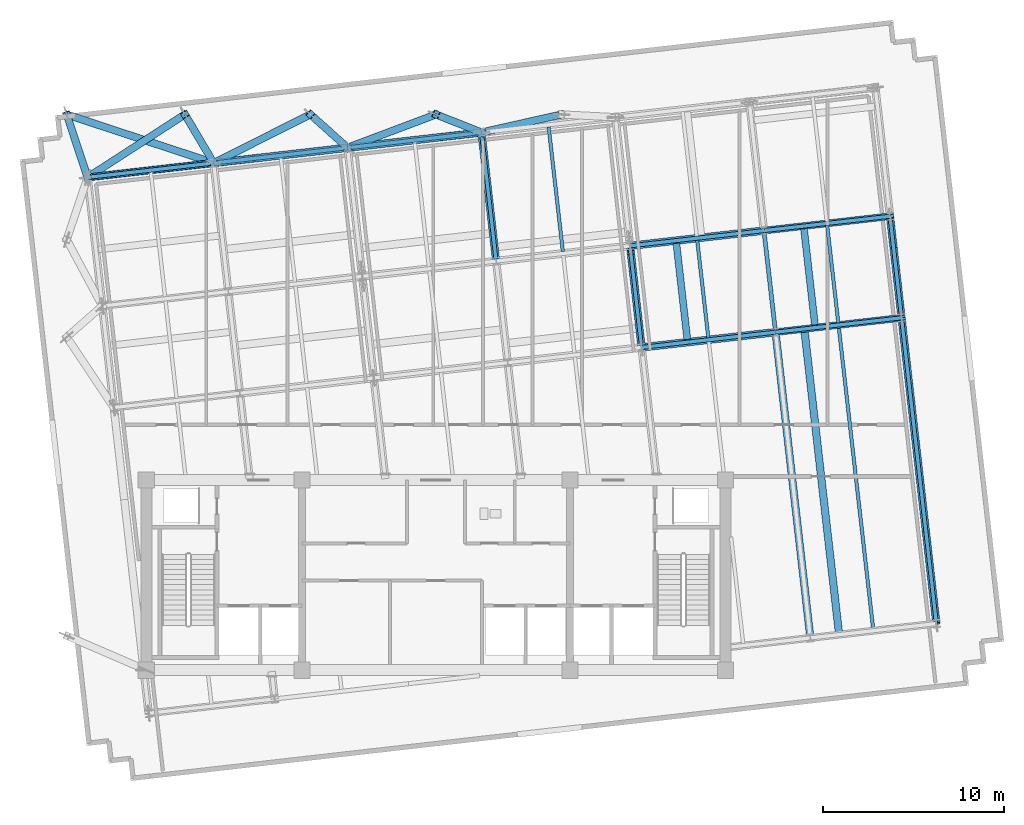
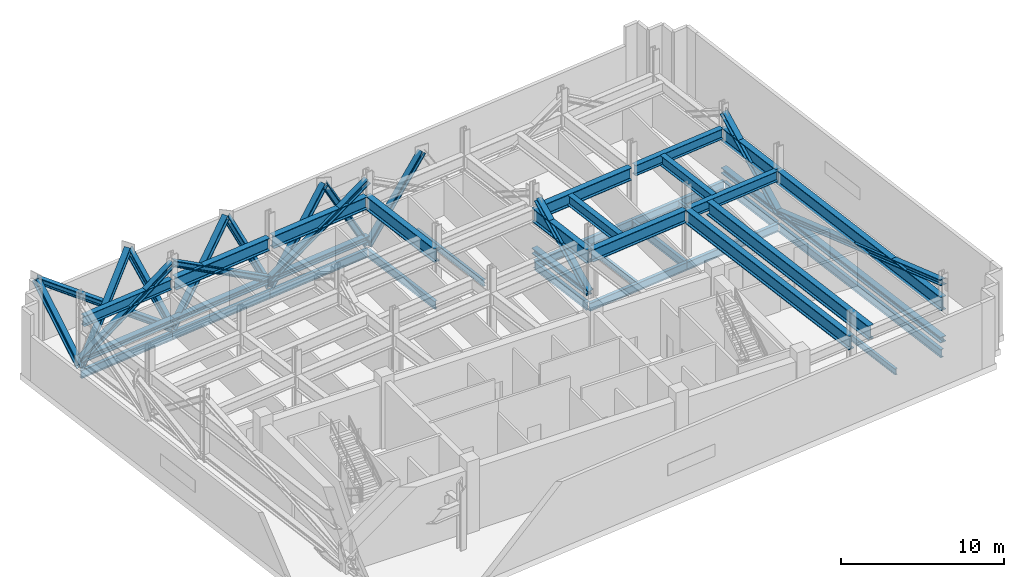
# One storey, part 3 of 10: 31 beams, 21 members.
"""IFC4 building model written with IfcOpenShell, lengths in metres."""

from ifc_helpers import new_model, si_unit, direction, frame, origin, origin_2d, place, context, subcontext, project, spatial, i_section, extrude, material, material_profile, profile_set, type_object, element, save


model = new_model("IFC4")

# Units and contexts
model_context = context("Model", 3, precision=1e-05, world=origin(), true_north=direction((0.0, 1.0)))
body_context = subcontext(model_context, "Body", "Model", "MODEL_VIEW")
ifc_project = project(units=[si_unit("LENGTHUNIT", "METRE"), si_unit("AREAUNIT", "SQUARE_METRE"), si_unit("VOLUMEUNIT", "CUBIC_METRE"), si_unit("PLANEANGLEUNIT", "RADIAN"), si_unit("MASSUNIT", "GRAM", prefix="KILO")], contexts=[model_context])

# Site, building, storey
site_placement = place(None, origin())
site = spatial("IfcSite", under=ifc_project, at=site_placement, CompositionType="ELEMENT")
building_placement = place(site_placement, origin())
building = spatial("IfcBuilding", under=site, at=building_placement, Name="Solmavex Isthmus Hotel", CompositionType="ELEMENT")
storey_placement = place(building_placement, frame((0.0, 0.0, 240.0)))
storey = spatial("IfcBuildingStorey", under=building, at=storey_placement, Name="L65", CompositionType="ELEMENT", Elevation=240.0)

# Beams
ifc_material_1 = material(Name="Steel ASTM A992 Grade 50", Category="steel")
ifc_material_profile_1 = material_profile(ifc_material_1, i_section(OverallWidth=0.380615234375, OverallDepth=0.773193359375, WebThickness=0.0166015625, FlangeThickness=0.027099609375, FilletRadius=0.01904296875, at=origin_2d()), Name="W30X173")
ifc_profile_set_1 = profile_set([ifc_material_profile_1], Name="Steel ASTM A992 Grade 50")
beam_type_1 = type_object("IfcBeamType", Name="BM-BG-W30X173", PredefinedType="BEAM", material=ifc_profile_set_1)
beam_1_placement = place(storey_placement, frame((18.91259765625, 5.68994140625, 3.183349609375), z_axis=(0.993574548201, 0.113179579285, 0.0), x_axis=(-0.113179579285, 0.993574548201, 0.0)))
element("IfcBeam", 1, at=beam_1_placement, inside=storey, type_object=beam_type_1, Name="Floor Framing Cross Girder L65-XLC30", PredefinedType="BEAM", context=body_context, shape_type="SweptSolid", body=[
    extrude(i_section(OverallWidth=0.380615234375, OverallDepth=0.773193359375, WebThickness=0.0166015625, FlangeThickness=0.027099609375, FilletRadius=0.01904296875, at=origin_2d()), origin(), (0.0, 0.0, 1.0), 6.69775390625),
])
for number, where, z_axis, x_axis, name in (
    (2, (18.273193359375, 11.301513671875, 3.183349609375), (0.993570915784, 0.113211462798, 0.0), (-0.113211462798, 0.993570915784, 0.0), "Floor Framing Cross Girder L65-XLC36"),
    (3, (-19.092041015625, 14.24267578125, 3.183349609375), (0.993575015096, 0.11317548046, 0.0), (-0.11317548046, 0.993575015096, 0.0), "Floor Framing Cross Girder L65-XLC37"),
):
    element("IfcBeam", number, at=place(storey_placement, frame(where, z_axis=z_axis, x_axis=x_axis)), inside=storey, type_object=beam_type_1, Name=name, PredefinedType="BEAM", context=body_context, shape_type="SweptSolid", body=[
        extrude(i_section(OverallWidth=0.380615234375, OverallDepth=0.773193359375, WebThickness=0.0166015625, FlangeThickness=0.027099609375, FilletRadius=0.01904296875, at=origin_2d()), origin(), (0.0, 0.0, 1.0), 6.697998046875),
    ])
for number, where, z_axis, x_axis, name in (
    (4, (13.886474609375, 5.273193359375, 3.183349609375), (-0.11319702122, 0.993572561209, 0.0), (-0.993572561209, -0.11319702122, 0.0), "Floor Framing Cross Girder L65-XLC51"),
    (5, (20.936767578125, 6.076416015625, 3.183349609375), (-0.11319702122, 0.993572561209, 0.0), (-0.993572561209, -0.11319702122, 0.0), "Floor Framing Cross Girder L65-XLC54"),
):
    element("IfcBeam", number, at=place(storey_placement, frame(where, z_axis=z_axis, x_axis=x_axis)), inside=storey, type_object=beam_type_1, Name=name, PredefinedType="BEAM", context=body_context, shape_type="SweptSolid", body=[
        extrude(i_section(OverallWidth=0.380615234375, OverallDepth=0.773193359375, WebThickness=0.0166015625, FlangeThickness=0.027099609375, FilletRadius=0.01904296875, at=origin_2d()), origin(), (0.0, 0.0, 1.0), 5.338134765625),
    ])
ifc_material_profile_2 = material_profile(ifc_material_1, i_section(OverallWidth=0.1904296875, OverallDepth=0.456787109375, WebThickness=0.009033203125, FlangeThickness=0.014404296875, FilletRadius=0.0126953125, at=origin_2d()), Name="W18X50")
ifc_profile_set_2 = profile_set([ifc_material_profile_2], Name="Steel ASTM A992 Grade 50")
beam_type_2 = type_object("IfcBeamType", Name="BM-BJ-W18X50", PredefinedType="JOIST", material=ifc_profile_set_2)
beam_2_placement = place(storey_placement, frame((7.009033203125, 10.1328125, -0.678466796875), z_axis=(-0.113202453846, 0.993571942258, 0.0), x_axis=(-0.993571942258, -0.113202453846, 0.0)))
element("IfcBeam", 6, at=beam_2_placement, inside=storey, type_object=beam_type_2, Name="Secondary Floor Joist L65-J14", PredefinedType="JOIST", context=body_context, shape_type="SweptSolid", body=[
    extrude(i_section(OverallWidth=0.1904296875, OverallDepth=0.456787109375, WebThickness=0.009033203125, FlangeThickness=0.014404296875, FilletRadius=0.0126953125, at=origin_2d()), origin(), (0.0, 0.0, 1.0), 6.9228515625),
])
beam_3_placement = place(storey_placement, frame((15.046630859375, 5.364013671875, -0.678466796875), z_axis=(-0.113189626161, 0.993573403695, 0.0), x_axis=(-0.993573403695, -0.113189626161, 0.0)))
element("IfcBeam", 7, at=beam_3_placement, inside=storey, type_object=beam_type_2, Name="Secondary Floor Joist L65-J17", PredefinedType="JOIST", context=body_context, shape_type="SweptSolid", body=[
    extrude(i_section(OverallWidth=0.1904296875, OverallDepth=0.456787109375, WebThickness=0.009033203125, FlangeThickness=0.014404296875, FilletRadius=0.0126953125, at=origin_2d()), origin(), (0.0, 0.0, 1.0), 5.42041015625),
])
beam_4_placement = place(storey_placement, frame((24.1513671875, -10.707275390625, -0.678466796875), z_axis=(-0.113198426291, 0.993572401129, 0.0), x_axis=(-0.993572401129, -0.113198426291, 0.0)))
element("IfcBeam", 8, at=beam_4_placement, inside=storey, type_object=beam_type_2, Name="Secondary Floor Joist L65-J19", PredefinedType="JOIST", context=body_context, shape_type="SweptSolid", body=[
    extrude(i_section(OverallWidth=0.1904296875, OverallDepth=0.456787109375, WebThickness=0.009033203125, FlangeThickness=0.014404296875, FilletRadius=0.0126953125, at=origin_2d()), origin(), (0.0, 0.0, 1.0), 16.77099609375),
])
beam_5_placement = place(storey_placement, frame((22.22705078125, 6.18212890625, -0.678466796875), z_axis=(-0.113189626161, 0.993573403695, 0.0), x_axis=(-0.993573403695, -0.113189626161, 0.0)))
element("IfcBeam", 9, at=beam_5_placement, inside=storey, type_object=beam_type_2, Name="Secondary Floor Joist L65-J20", PredefinedType="JOIST", context=body_context, shape_type="SweptSolid", body=[
    extrude(i_section(OverallWidth=0.1904296875, OverallDepth=0.456787109375, WebThickness=0.009033203125, FlangeThickness=0.014404296875, FilletRadius=0.0126953125, at=origin_2d()), origin(), (0.0, 0.0, 1.0), 5.42041015625),
])
ifc_material_profile_3 = material_profile(ifc_material_1, i_section(OverallWidth=0.227783203125, OverallDepth=0.602783203125, WebThickness=0.010498046875, FlangeThickness=0.014892578125, FilletRadius=0.01513671875, at=origin_2d()), Name="W24X68")
ifc_profile_set_3 = profile_set([ifc_material_profile_3], Name="Steel ASTM A992 Grade 50")
beam_type_3 = type_object("IfcBeamType", Name="BM-BM-W24X68", PredefinedType="BEAM", material=ifc_profile_set_3)
beam_6_placement = place(storey_placement, frame((11.3603515625, 4.829345703125, -0.75146484375), z_axis=(0.9935703463, 0.113216460607, 0.0), x_axis=(-0.113216460607, 0.9935703463, 0.0)))
element("IfcBeam", 10, at=beam_6_placement, inside=storey, type_object=beam_type_3, Name="Floor Girder L65-UG10", PredefinedType="BEAM", context=body_context, shape_type="SweptSolid", body=[
    extrude(i_section(OverallWidth=0.227783203125, OverallDepth=0.602783203125, WebThickness=0.010498046875, FlangeThickness=0.014892578125, FilletRadius=0.01513671875, at=origin_2d()), origin(), (0.0, 0.0, 1.0), 7.446044921875),
])
beam_7_placement = place(storey_placement, frame((18.758544921875, 5.67236328125, -0.75146484375), z_axis=(0.99357359356, 0.113187959519, 0.0), x_axis=(-0.113187959519, 0.99357359356, 0.0)))
element("IfcBeam", 11, at=beam_7_placement, inside=storey, type_object=beam_type_3, Name="Floor Girder L65-UG11", PredefinedType="BEAM", context=body_context, shape_type="SweptSolid", body=[
    extrude(i_section(OverallWidth=0.227783203125, OverallDepth=0.602783203125, WebThickness=0.010498046875, FlangeThickness=0.014892578125, FilletRadius=0.01513671875, at=origin_2d()), origin(), (0.0, 0.0, 1.0), 7.0078125),
])
beam_8_placement = place(storey_placement, frame((10.720947265625, 10.441162109375, -0.75146484375), z_axis=(0.993574034044, 0.113184092846, 0.0), x_axis=(-0.113184092846, 0.993574034044, 0.0)))
element("IfcBeam", 12, at=beam_8_placement, inside=storey, type_object=beam_type_3, Name="Floor Girder L65-UG16", PredefinedType="BEAM", context=body_context, shape_type="SweptSolid", body=[
    extrude(i_section(OverallWidth=0.227783203125, OverallDepth=0.602783203125, WebThickness=0.010498046875, FlangeThickness=0.014892578125, FilletRadius=0.01513671875, at=origin_2d()), origin(), (0.0, 0.0, 1.0), 7.446044921875),
])
beam_9_placement = place(storey_placement, frame((18.119140625, 11.283935546875, -0.75146484375), z_axis=(0.993569675103, 0.113222350774, 0.0), x_axis=(-0.113222350774, 0.993569675103, 0.0)))
element("IfcBeam", 13, at=beam_9_placement, inside=storey, type_object=beam_type_3, Name="Floor Girder L65-UG17", PredefinedType="BEAM", context=body_context, shape_type="SweptSolid", body=[
    extrude(i_section(OverallWidth=0.227783203125, OverallDepth=0.602783203125, WebThickness=0.010498046875, FlangeThickness=0.014892578125, FilletRadius=0.01513671875, at=origin_2d()), origin(), (0.0, 0.0, 1.0), 7.008056640625),
])
beam_10_placement = place(storey_placement, frame((3.31005859375, 9.71142578125, -0.75146484375), z_axis=(-0.113202453846, 0.993571942258, 0.0), x_axis=(-0.993571942258, -0.113202453846, 0.0)))
element("IfcBeam", 14, at=beam_10_placement, inside=storey, type_object=beam_type_3, Name="Floor Beam L65-VG36", PredefinedType="BEAM", context=body_context, shape_type="SweptSolid", body=[
    extrude(i_section(OverallWidth=0.227783203125, OverallDepth=0.602783203125, WebThickness=0.010498046875, FlangeThickness=0.014892578125, FilletRadius=0.01513671875, at=origin_2d()), origin(), (0.0, 0.0, 1.0), 6.9228515625),
])
beam_11_placement = place(storey_placement, frame((11.347412109375, 4.942626953125, -0.75146484375), z_axis=(-0.113194691868, 0.993572826587, 0.0), x_axis=(-0.993572826587, -0.113194691868, 0.0)))
element("IfcBeam", 15, at=beam_11_placement, inside=storey, type_object=beam_type_3, Name="Floor Beam L65-VG38", PredefinedType="BEAM", context=body_context, shape_type="SweptSolid", body=[
    extrude(i_section(OverallWidth=0.227783203125, OverallDepth=0.602783203125, WebThickness=0.010498046875, FlangeThickness=0.014892578125, FilletRadius=0.01513671875, at=origin_2d()), origin(), (0.0, 0.0, 1.0), 5.420166015625),
])
beam_12_placement = place(storey_placement, frame((18.74560546875, 5.785400390625, -0.75146484375), z_axis=(-0.113189626161, 0.993573403695, 0.0), x_axis=(-0.993573403695, -0.113189626161, 0.0)))
element("IfcBeam", 16, at=beam_12_placement, inside=storey, type_object=beam_type_3, Name="Floor Beam L65-VG41", PredefinedType="BEAM", context=body_context, shape_type="SweptSolid", body=[
    extrude(i_section(OverallWidth=0.227783203125, OverallDepth=0.602783203125, WebThickness=0.010498046875, FlangeThickness=0.014892578125, FilletRadius=0.01513671875, at=origin_2d()), origin(), (0.0, 0.0, 1.0), 5.42041015625),
])
ifc_material_profile_4 = material_profile(ifc_material_1, i_section(OverallWidth=0.230224609375, OverallDepth=0.617431640625, WebThickness=0.01318359375, FlangeThickness=0.022216796875, FilletRadius=0.01513671875, at=origin_2d()), Name="W24X94")
ifc_profile_set_4 = profile_set([ifc_material_profile_4], Name="Steel ASTM A992 Grade 50")
beam_type_4 = type_object("IfcBeamType", Name="BM-SP-W24X94", PredefinedType="SPANDREL", material=ifc_profile_set_4)
beam_13_placement = place(storey_placement, frame((-19.245849609375, 14.22509765625, -0.7587890625), z_axis=(0.99357359356, 0.113187959519, 0.0), x_axis=(-0.113187959519, 0.99357359356, 0.0)))
element("IfcBeam", 17, at=beam_13_placement, inside=storey, type_object=beam_type_4, Name="Floor Girder L65-UG18", PredefinedType="SPANDREL", context=body_context, shape_type="SweptSolid", body=[
    extrude(i_section(OverallWidth=0.230224609375, OverallDepth=0.617431640625, WebThickness=0.01318359375, FlangeThickness=0.022216796875, FilletRadius=0.01513671875, at=origin_2d()), origin(), (0.0, 0.0, 1.0), 7.0078125),
])
beam_14_placement = place(storey_placement, frame((-12.282958984375, 15.018310546875, -0.7587890625), z_axis=(0.9935703463, 0.113216460607, 0.0), x_axis=(-0.113216460607, 0.9935703463, 0.0)))
element("IfcBeam", 18, at=beam_14_placement, inside=storey, type_object=beam_type_4, Name="Floor Girder L65-UG19", PredefinedType="SPANDREL", context=body_context, shape_type="SweptSolid", body=[
    extrude(i_section(OverallWidth=0.230224609375, OverallDepth=0.617431640625, WebThickness=0.01318359375, FlangeThickness=0.022216796875, FilletRadius=0.01513671875, at=origin_2d()), origin(), (0.0, 0.0, 1.0), 7.446044921875),
])
beam_15_placement = place(storey_placement, frame((-4.884765625, 15.861328125, -0.7587890625), z_axis=(0.993573613989, 0.113187780196, 0.0), x_axis=(-0.113187780196, 0.993573613989, 0.0)))
element("IfcBeam", 19, at=beam_15_placement, inside=storey, type_object=beam_type_4, Name="Floor Girder L65-UG20", PredefinedType="SPANDREL", context=body_context, shape_type="SweptSolid", body=[
    extrude(i_section(OverallWidth=0.230224609375, OverallDepth=0.617431640625, WebThickness=0.01318359375, FlangeThickness=0.022216796875, FilletRadius=0.01513671875, at=origin_2d()), origin(), (0.0, 0.0, 1.0), 7.44580078125),
])
beam_16_placement = place(storey_placement, frame((27.6328125, -10.310546875, -0.7587890625), z_axis=(-0.113198426291, 0.993572401129, 0.0), x_axis=(-0.993572401129, -0.113198426291, 0.0)))
element("IfcBeam", 20, at=beam_16_placement, inside=storey, type_object=beam_type_4, Name="Floor Beam L65-VG43", PredefinedType="SPANDREL", context=body_context, shape_type="SweptSolid", body=[
    extrude(i_section(OverallWidth=0.230224609375, OverallDepth=0.617431640625, WebThickness=0.01318359375, FlangeThickness=0.022216796875, FilletRadius=0.01513671875, at=origin_2d()), origin(), (0.0, 0.0, 1.0), 16.77099609375),
])
beam_17_placement = place(storey_placement, frame((25.70849609375, 6.578857421875, -0.7587890625), z_axis=(-0.113194691868, 0.993572826587, 0.0), x_axis=(-0.993572826587, -0.113194691868, 0.0)))
element("IfcBeam", 21, at=beam_17_placement, inside=storey, type_object=beam_type_4, Name="Floor Beam L65-VG44", PredefinedType="SPANDREL", context=body_context, shape_type="SweptSolid", body=[
    extrude(i_section(OverallWidth=0.230224609375, OverallDepth=0.617431640625, WebThickness=0.01318359375, FlangeThickness=0.022216796875, FilletRadius=0.01513671875, at=origin_2d()), origin(), (0.0, 0.0, 1.0), 5.420166015625),
])
ifc_material_2 = material(Name="Steel ASTM A913 Grade 65", Category="steel")
ifc_material_profile_5 = material_profile(ifc_material_2, i_section(OverallWidth=0.423095703125, OverallDepth=0.93896484375, WebThickness=0.02392578125, FlangeThickness=0.042724609375, FilletRadius=0.024169921875, at=origin_2d()), Name="W36X302")
ifc_profile_set_5 = profile_set([ifc_material_profile_5], Name="Steel ASTM A913 Grade 65")
beam_type_5 = type_object("IfcBeamType", Name="BM-TB-W36X302", PredefinedType="BEAM", material=ifc_profile_set_5)
for number, where, z_axis, x_axis, name in (
    (22, (11.514404296875, 4.846923828125, 3.1005859375), (0.993571101431, 0.113209833499, 0.0), (-0.113209833499, 0.993571101431, 0.0), "Horizontal Outrigger Collector Girder L65-XLC29"),
    (23, (10.875, 10.458740234375, 3.1005859375), (0.993574949186, 0.113176059086, 0.0), (-0.113176059086, 0.993574949186, 0.0), "Horizontal Outrigger Collector Girder L65-XLC35"),
    (24, (-12.12890625, 15.035888671875, 3.1005859375), (0.993571101431, 0.113209833499, 0.0), (-0.113209833499, 0.993571101431, 0.0), "Horizontal Outrigger Collector Girder L65-XLC38"),
):
    element("IfcBeam", number, at=place(storey_placement, frame(where, z_axis=z_axis, x_axis=x_axis)), inside=storey, type_object=beam_type_5, Name=name, PredefinedType="BEAM", context=body_context, shape_type="SweptSolid", body=[
        extrude(i_section(OverallWidth=0.423095703125, OverallDepth=0.93896484375, WebThickness=0.02392578125, FlangeThickness=0.042724609375, FilletRadius=0.024169921875, at=origin_2d()), origin(), (0.0, 0.0, 1.0), 7.135986328125),
    ])
beam_18_placement = place(storey_placement, frame((-4.73095703125, 15.87890625, 3.1005859375), z_axis=(0.993571539895, 0.113205985315, 0.0), x_axis=(-0.113205985315, 0.993571539895, 0.0)))
element("IfcBeam", 25, at=beam_18_placement, inside=storey, type_object=beam_type_5, Name="Horizontal Outrigger Collector Girder L65-XLC39", PredefinedType="BEAM", context=body_context, shape_type="SweptSolid", body=[
    extrude(i_section(OverallWidth=0.423095703125, OverallDepth=0.93896484375, WebThickness=0.02392578125, FlangeThickness=0.042724609375, FilletRadius=0.024169921875, at=origin_2d()), origin(), (0.0, 0.0, 1.0), 7.13623046875),
])
ifc_material_profile_6 = material_profile(ifc_material_2, i_section(OverallWidth=0.409423828125, OverallDepth=1.036376953125, WebThickness=0.031005859375, FlangeThickness=0.055908203125, FilletRadius=0.030517578125, at=origin_2d()), Name="W40X397")
ifc_profile_set_6 = profile_set([ifc_material_profile_6], Name="Steel ASTM A913 Grade 65")
beam_type_6 = type_object("IfcBeamType", Name="BM-TB-W40X397B", PredefinedType="BEAM", material=ifc_profile_set_6)
beam_19_placement = place(storey_placement, frame((3.322998046875, 9.59814453125, 3.0517578125), z_axis=(-0.113229841979, 0.993568821414, 0.0), x_axis=(-0.993568821414, -0.113229841979, 0.0)))
element("IfcBeam", 26, at=beam_19_placement, inside=storey, type_object=beam_type_6, Name="Horizontal Transfer Carrier Girder L65-XLC13", PredefinedType="BEAM", context=body_context, shape_type="SweptSolid", body=[
    extrude(i_section(OverallWidth=0.409423828125, OverallDepth=1.036376953125, WebThickness=0.031005859375, FlangeThickness=0.055908203125, FilletRadius=0.030517578125, at=origin_2d()), origin(), (0.0, 0.0, 1.0), 7.15185546875),
])
beam_20_placement = place(storey_placement, frame((11.3603515625, 4.829345703125, 3.0517578125), z_axis=(-0.113206461365, 0.993571485654, 0.0), x_axis=(-0.993571485654, -0.113206461365, 0.0)))
element("IfcBeam", 27, at=beam_20_placement, inside=storey, type_object=beam_type_6, Name="Horizontal Transfer Carrier Girder L65-XLC15", PredefinedType="BEAM", context=body_context, shape_type="SweptSolid", body=[
    extrude(i_section(OverallWidth=0.409423828125, OverallDepth=1.036376953125, WebThickness=0.031005859375, FlangeThickness=0.055908203125, FilletRadius=0.030517578125, at=origin_2d()), origin(), (0.0, 0.0, 1.0), 5.648193359375),
])
beam_21_placement = place(storey_placement, frame((20.68310546875, -11.218505859375, 3.0517578125), z_axis=(-0.113208387531, 0.993571266187, 0.0), x_axis=(-0.993571266187, -0.113208387531, 0.0)))
element("IfcBeam", 28, at=beam_21_placement, inside=storey, type_object=beam_type_6, Name="Horizontal Transfer Carrier Girder L65-XLC17", PredefinedType="BEAM", context=body_context, shape_type="SweptSolid", body=[
    extrude(i_section(OverallWidth=0.409423828125, OverallDepth=1.036376953125, WebThickness=0.031005859375, FlangeThickness=0.055908203125, FilletRadius=0.030517578125, at=origin_2d()), origin(), (0.0, 0.0, 1.0), 17.000244140625),
])
beam_22_placement = place(storey_placement, frame((27.64599609375, -10.425048828125, 3.0517578125), z_axis=(-0.113210002897, 0.99357108213, 0.0), x_axis=(-0.99357108213, -0.113210002897, 0.0)))
element("IfcBeam", 29, at=beam_22_placement, inside=storey, type_object=beam_type_6, Name="Horizontal Transfer Carrier Girder L65-XLC19", PredefinedType="BEAM", context=body_context, shape_type="SweptSolid", body=[
    extrude(i_section(OverallWidth=0.409423828125, OverallDepth=1.036376953125, WebThickness=0.031005859375, FlangeThickness=0.055908203125, FilletRadius=0.030517578125, at=origin_2d()), origin(), (0.0, 0.0, 1.0), 17.0),
])
beam_23_placement = place(storey_placement, frame((25.721435546875, 6.465576171875, 3.0517578125), z_axis=(-0.113206461365, 0.993571485654, 0.0), x_axis=(-0.993571485654, -0.113206461365, 0.0)))
element("IfcBeam", 30, at=beam_23_placement, inside=storey, type_object=beam_type_6, Name="Horizontal Transfer Carrier Girder L65-XLC20", PredefinedType="BEAM", context=body_context, shape_type="SweptSolid", body=[
    extrude(i_section(OverallWidth=0.409423828125, OverallDepth=1.036376953125, WebThickness=0.031005859375, FlangeThickness=0.055908203125, FilletRadius=0.030517578125, at=origin_2d()), origin(), (0.0, 0.0, 1.0), 5.648193359375),
])
beam_24_placement = place(storey_placement, frame((22.255126953125, -10.88330078125, 3.0517578125), z_axis=(-0.113190963574, 0.993573251333, 0.0), x_axis=(-0.993573251333, -0.113190963574, 0.0)))
element("IfcBeam", 31, at=beam_24_placement, inside=storey, type_object=beam_type_6, Name="Horizontal Transfer Carrier Girder L65-XLC53", PredefinedType="BEAM", context=body_context, shape_type="SweptSolid", body=[
    extrude(i_section(OverallWidth=0.409423828125, OverallDepth=1.036376953125, WebThickness=0.031005859375, FlangeThickness=0.055908203125, FilletRadius=0.030517578125, at=origin_2d()), origin(), (0.0, 0.0, 1.0), 16.68994140625),
])

# Members
ifc_material_profile_7 = material_profile(ifc_material_2, i_section(OverallWidth=0.412109375, OverallDepth=0.434814453125, WebThickness=0.035888671875, FlangeThickness=0.057373046875, FilletRadius=0.030517578125, at=origin_2d()), Name="W14X311")
ifc_profile_set_7 = profile_set([ifc_material_profile_7], Name="Steel ASTM A913 Grade 65")
member_type_1 = type_object("IfcMemberType", Name="MEM-TC-W14X311", PredefinedType="CHORD", material=ifc_profile_set_7)
member_1_placement = place(storey_placement, frame((-19.245849609375, 14.22509765625, 0.35009765625), z_axis=(0.99357359356, 0.113187959519, 0.0), x_axis=(-0.113187959519, 0.99357359356, 0.0)))
element("IfcMember", 32, at=member_1_placement, inside=storey, type_object=member_type_1, Name="Outrigger and Belt Transfer Truss Bottom Chord BT-L65-N-01", PredefinedType="CHORD", context=body_context, shape_type="SweptSolid", body=[
    extrude(i_section(OverallWidth=0.412109375, OverallDepth=0.434814453125, WebThickness=0.035888671875, FlangeThickness=0.057373046875, FilletRadius=0.030517578125, at=origin_2d()), origin(), (0.0, 0.0, 1.0), 7.0078125),
])
member_2_placement = place(storey_placement, frame((-12.282958984375, 15.018310546875, 0.35009765625), z_axis=(0.9935703463, 0.113216460607, 0.0), x_axis=(-0.113216460607, 0.9935703463, 0.0)))
element("IfcMember", 33, at=member_2_placement, inside=storey, type_object=member_type_1, Name="Outrigger and Belt Transfer Truss Bottom Chord BT-L65-N-02", PredefinedType="CHORD", context=body_context, shape_type="SweptSolid", body=[
    extrude(i_section(OverallWidth=0.412109375, OverallDepth=0.434814453125, WebThickness=0.035888671875, FlangeThickness=0.057373046875, FilletRadius=0.030517578125, at=origin_2d()), origin(), (0.0, 0.0, 1.0), 7.446044921875),
])
member_3_placement = place(storey_placement, frame((-4.884765625, 15.861328125, 0.35009765625), z_axis=(0.993573613989, 0.113187780196, 0.0), x_axis=(-0.113187780196, 0.993573613989, 0.0)))
element("IfcMember", 34, at=member_3_placement, inside=storey, type_object=member_type_1, Name="Outrigger and Belt Transfer Truss Bottom Chord BT-L65-N-03", PredefinedType="CHORD", context=body_context, shape_type="SweptSolid", body=[
    extrude(i_section(OverallWidth=0.412109375, OverallDepth=0.434814453125, WebThickness=0.035888671875, FlangeThickness=0.057373046875, FilletRadius=0.030517578125, at=origin_2d()), origin(), (0.0, 0.0, 1.0), 7.44580078125),
])
member_4_placement = place(storey_placement, frame((27.64599609375, -10.425048828125, 0.35009765625), z_axis=(-0.113210002897, 0.99357108213, 0.0), x_axis=(-0.99357108213, -0.113210002897, 0.0)))
element("IfcMember", 35, at=member_4_placement, inside=storey, type_object=member_type_1, Name="Outrigger and Belt Transfer Truss Bottom Chord BT-L65-E-10", PredefinedType="CHORD", context=body_context, shape_type="SweptSolid", body=[
    extrude(i_section(OverallWidth=0.412109375, OverallDepth=0.434814453125, WebThickness=0.035888671875, FlangeThickness=0.057373046875, FilletRadius=0.030517578125, at=origin_2d()), origin(), (0.0, 0.0, 1.0), 17.0),
])
for number, where, z_axis, x_axis, name in (
    (36, (25.721435546875, 6.465576171875, 0.35009765625), (-0.113206461365, 0.993571485654, 0.0), (-0.993571485654, -0.113206461365, 0.0), "Outrigger and Belt Transfer Truss Bottom Chord BT-L65-E-11"),
    (37, (11.3603515625, 4.829345703125, 0.35009765625), (-0.113206461365, 0.993571485654, 0.0), (-0.993571485654, -0.113206461365, 0.0), "Outrigger and Belt Transfer Truss Bottom Chord OT-L65-E-15"),
):
    element("IfcMember", number, at=place(storey_placement, frame(where, z_axis=z_axis, x_axis=x_axis)), inside=storey, type_object=member_type_1, Name=name, PredefinedType="CHORD", context=body_context, shape_type="SweptSolid", body=[
        extrude(i_section(OverallWidth=0.412109375, OverallDepth=0.434814453125, WebThickness=0.035888671875, FlangeThickness=0.057373046875, FilletRadius=0.030517578125, at=origin_2d()), origin(), (0.0, 0.0, 1.0), 5.648193359375),
    ])
ifc_material_profile_8 = material_profile(ifc_material_2, i_section(OverallWidth=0.40625, OverallDepth=0.416015625, WebThickness=0.02978515625, FlangeThickness=0.048095703125, FilletRadius=0.030517578125, at=origin_2d()), Name="W14X257")
ifc_profile_set_8 = profile_set([ifc_material_profile_8], Name="Steel ASTM A913 Grade 65")
member_type_2 = type_object("IfcMemberType", Name="MEM-TM-W14X257", PredefinedType="BRACE", material=ifc_profile_set_8)
member_5_placement = place(storey_placement, frame((-19.245849609375, 14.22509765625, -0.25), z_axis=(-0.188668740137, 0.568081696292, 0.801053863878), x_axis=(-0.949029453942, -0.315187397512, 0.0)))
element("IfcMember", 38, at=member_5_placement, inside=storey, type_object=member_type_2, Name="Perimeter Facade Transfer Bracket L65-FBR06", PredefinedType="BRACE", context=body_context, shape_type="SweptSolid", body=[
    extrude(i_section(OverallWidth=0.40625, OverallDepth=0.416015625, WebThickness=0.02978515625, FlangeThickness=0.048095703125, FilletRadius=0.030517578125, at=origin_2d()), origin(), (0.0, 0.0, 1.0), 6.11669921875),
])
member_6_placement = place(storey_placement, frame((-12.282958984375, 15.018310546875, -0.25), z_axis=(-0.82378983359, 0.272160120677, 0.497291844682), x_axis=(-0.313699115309, -0.949522440522, 0.0)))
element("IfcMember", 39, at=member_6_placement, inside=storey, type_object=member_type_2, Name="Perimeter Facade Transfer Bracket L65-FBR07", PredefinedType="BRACE", context=body_context, shape_type="SweptSolid", body=[
    extrude(i_section(OverallWidth=0.40625, OverallDepth=0.416015625, WebThickness=0.02978515625, FlangeThickness=0.048095703125, FilletRadius=0.030517578125, at=origin_2d()), origin(), (0.0, 0.0, 1.0), 9.853271484375),
])
member_7_placement = place(storey_placement, frame((-12.282958984375, 15.018310546875, -0.25), z_axis=(-0.273637134194, 0.46176529144, 0.843739020321), x_axis=(-0.860292805873, -0.509800243393, 0.0)))
element("IfcMember", 40, at=member_7_placement, inside=storey, type_object=member_type_2, Name="Perimeter Facade Transfer Bracket L65-FBR08", PredefinedType="BRACE", context=body_context, shape_type="SweptSolid", body=[
    extrude(i_section(OverallWidth=0.40625, OverallDepth=0.416015625, WebThickness=0.02978515625, FlangeThickness=0.048095703125, FilletRadius=0.030517578125, at=origin_2d()), origin(), (0.0, 0.0, 1.0), 5.807373046875),
])
member_8_placement = place(storey_placement, frame((-19.245849609375, 14.22509765625, -0.25), z_axis=(0.666734549839, 0.431131381939, 0.60793977626), x_axis=(-0.542998156498, 0.839733887633, 0.0)))
element("IfcMember", 41, at=member_8_placement, inside=storey, type_object=member_type_2, Name="Perimeter Facade Transfer Bracket L65-FBR09", PredefinedType="BRACE", context=body_context, shape_type="SweptSolid", body=[
    extrude(i_section(OverallWidth=0.40625, OverallDepth=0.416015625, WebThickness=0.02978515625, FlangeThickness=0.048095703125, FilletRadius=0.030517578125, at=origin_2d()), origin(), (0.0, 0.0, 1.0), 8.059814453125),
])
member_9_placement = place(storey_placement, frame((-4.884765625, 15.861328125, -0.25), z_axis=(-0.364920154284, 0.327090416795, 0.871690966018), x_axis=(-0.667455214736, -0.744649942135, 0.0)))
element("IfcMember", 42, at=member_9_placement, inside=storey, type_object=member_type_2, Name="Perimeter Facade Transfer Bracket L65-FBR10", PredefinedType="BRACE", context=body_context, shape_type="SweptSolid", body=[
    extrude(i_section(OverallWidth=0.40625, OverallDepth=0.416015625, WebThickness=0.02978515625, FlangeThickness=0.048095703125, FilletRadius=0.030517578125, at=origin_2d()), origin(), (0.0, 0.0, 1.0), 5.62109375),
])
member_10_placement = place(storey_placement, frame((-12.282958984375, 15.018310546875, -0.25), z_axis=(0.691497037672, 0.34680623998, 0.633685473087), x_axis=(-0.448307091198, 0.893879607095, 0.0)))
element("IfcMember", 43, at=member_10_placement, inside=storey, type_object=member_type_2, Name="Perimeter Facade Transfer Bracket L65-FBR11", PredefinedType="BRACE", context=body_context, shape_type="SweptSolid", body=[
    extrude(i_section(OverallWidth=0.40625, OverallDepth=0.416015625, WebThickness=0.02978515625, FlangeThickness=0.048095703125, FilletRadius=0.030517578125, at=origin_2d()), origin(), (0.0, 0.0, 1.0), 7.732421875),
])
member_11_placement = place(storey_placement, frame((2.51318359375, 16.7041015625, -0.25), z_axis=(-0.449091847817, 0.177952753764, 0.875585135582), x_axis=(-0.36838351422, -0.929673914042, 0.0)))
element("IfcMember", 44, at=member_11_placement, inside=storey, type_object=member_type_2, Name="Perimeter Facade Transfer Bracket L65-FBR12", PredefinedType="BRACE", context=body_context, shape_type="SweptSolid", body=[
    extrude(i_section(OverallWidth=0.40625, OverallDepth=0.416015625, WebThickness=0.02978515625, FlangeThickness=0.048095703125, FilletRadius=0.030517578125, at=origin_2d()), origin(), (0.0, 0.0, 1.0), 5.59619140625),
])
member_12_placement = place(storey_placement, frame((-4.884765625, 15.861328125, -0.25), z_axis=(0.682330245755, 0.25682872255, 0.684444623765), x_axis=(-0.352271436744, 0.935897876295, 0.0)))
element("IfcMember", 45, at=member_12_placement, inside=storey, type_object=member_type_2, Name="Perimeter Facade Transfer Bracket L65-FBR13", PredefinedType="BRACE", context=body_context, shape_type="SweptSolid", body=[
    extrude(i_section(OverallWidth=0.40625, OverallDepth=0.416015625, WebThickness=0.02978515625, FlangeThickness=0.048095703125, FilletRadius=0.030517578125, at=origin_2d()), origin(), (0.0, 0.0, 1.0), 7.158935546875),
])
member_13_placement = place(storey_placement, frame((2.51318359375, 16.7041015625, -0.25), z_axis=(0.662549297401, 0.149179652467, 0.734012165977), x_axis=(-0.219660837195, 0.975576299734, 0.0)))
element("IfcMember", 46, at=member_13_placement, inside=storey, type_object=member_type_2, Name="Perimeter Facade Transfer Bracket L65-FBR15", PredefinedType="BRACE", context=body_context, shape_type="SweptSolid", body=[
    extrude(i_section(OverallWidth=0.40625, OverallDepth=0.416015625, WebThickness=0.02978515625, FlangeThickness=0.048095703125, FilletRadius=0.030517578125, at=origin_2d()), origin(), (0.0, 0.0, 1.0), 6.675537109375),
])
member_14_placement = place(storey_placement, frame((-19.245849609375, 14.22509765625, 0.35009765625), z_axis=(0.846873033128, 0.096475823444, 0.522970822562), x_axis=(-0.113187959519, 0.99357359356, 0.0)))
element("IfcMember", 47, at=member_14_placement, inside=storey, type_object=member_type_2, Name="Outrigger and Belt Transfer Truss Diagonal Brace BT-L65-N-01", PredefinedType="BRACE", context=body_context, shape_type="SweptSolid", body=[
    extrude(i_section(OverallWidth=0.40625, OverallDepth=0.416015625, WebThickness=0.02978515625, FlangeThickness=0.048095703125, FilletRadius=0.030517578125, at=origin_2d()), origin(), (0.0, 0.0, 1.0), 8.221923828125),
])
member_15_placement = place(storey_placement, frame((-12.282958984375, 15.018310546875, 4.64990234375), z_axis=(0.860416390979, 0.098043685379, -0.500071064842), x_axis=(-0.113216460607, 0.9935703463, 0.0)))
element("IfcMember", 48, at=member_15_placement, inside=storey, type_object=member_type_2, Name="Outrigger and Belt Transfer Truss Diagonal Brace BT-L65-N-02", PredefinedType="BRACE", context=body_context, shape_type="SweptSolid", body=[
    extrude(i_section(OverallWidth=0.40625, OverallDepth=0.416015625, WebThickness=0.02978515625, FlangeThickness=0.048095703125, FilletRadius=0.030517578125, at=origin_2d()), origin(), (0.0, 0.0, 1.0), 8.598388671875),
])
member_16_placement = place(storey_placement, frame((-4.884765625, 15.861328125, 0.35009765625), z_axis=(0.860411412324, 0.098017959057, 0.500084674076), x_axis=(-0.113187780196, 0.993573613989, 0.0)))
element("IfcMember", 49, at=member_16_placement, inside=storey, type_object=member_type_2, Name="Outrigger and Belt Transfer Truss Diagonal Brace BT-L65-N-03", PredefinedType="BRACE", context=body_context, shape_type="SweptSolid", body=[
    extrude(i_section(OverallWidth=0.40625, OverallDepth=0.416015625, WebThickness=0.02978515625, FlangeThickness=0.048095703125, FilletRadius=0.030517578125, at=origin_2d()), origin(), (0.0, 0.0, 1.0), 8.59814453125),
])
member_17_placement = place(storey_placement, frame((27.64599609375, -10.425048828125, 4.64990234375), z_axis=(-0.109753728265, 0.963237591814, -0.245209014614), x_axis=(-0.99357108213, -0.113210002897, 0.0)))
element("IfcMember", 50, at=member_17_placement, inside=storey, type_object=member_type_2, Name="Outrigger and Belt Transfer Truss Diagonal Brace BT-L65-E-10", PredefinedType="BRACE", context=body_context, shape_type="SweptSolid", body=[
    extrude(i_section(OverallWidth=0.40625, OverallDepth=0.416015625, WebThickness=0.02978515625, FlangeThickness=0.048095703125, FilletRadius=0.030517578125, at=origin_2d()), origin(), (0.0, 0.0, 1.0), 17.53515625),
])
member_18_placement = place(storey_placement, frame((25.721435546875, 6.465576171875, 0.35009765625), z_axis=(-0.090075133782, 0.790556328799, 0.605728620151), x_axis=(-0.993571485654, -0.113206461365, 0.0)))
element("IfcMember", 51, at=member_18_placement, inside=storey, type_object=member_type_2, Name="Outrigger and Belt Transfer Truss Diagonal Brace BT-L65-E-11", PredefinedType="BRACE", context=body_context, shape_type="SweptSolid", body=[
    extrude(i_section(OverallWidth=0.40625, OverallDepth=0.416015625, WebThickness=0.02978515625, FlangeThickness=0.048095703125, FilletRadius=0.030517578125, at=origin_2d()), origin(), (0.0, 0.0, 1.0), 7.0986328125),
])
member_19_placement = place(storey_placement, frame((11.3603515625, 4.829345703125, 0.35009765625), z_axis=(-0.090065410291, 0.790545553127, 0.605744129399), x_axis=(-0.9935726866, -0.113195920612, 0.0)))
element("IfcMember", 52, at=member_19_placement, inside=storey, type_object=member_type_2, Name="Outrigger and Belt Transfer Truss Diagonal Brace OT-L65-E-15", PredefinedType="BRACE", context=body_context, shape_type="SweptSolid", body=[
    extrude(i_section(OverallWidth=0.40625, OverallDepth=0.416015625, WebThickness=0.02978515625, FlangeThickness=0.048095703125, FilletRadius=0.030517578125, at=origin_2d()), origin(), (0.0, 0.0, 1.0), 6.638427734375),
])

save(model, "model.ifc")
